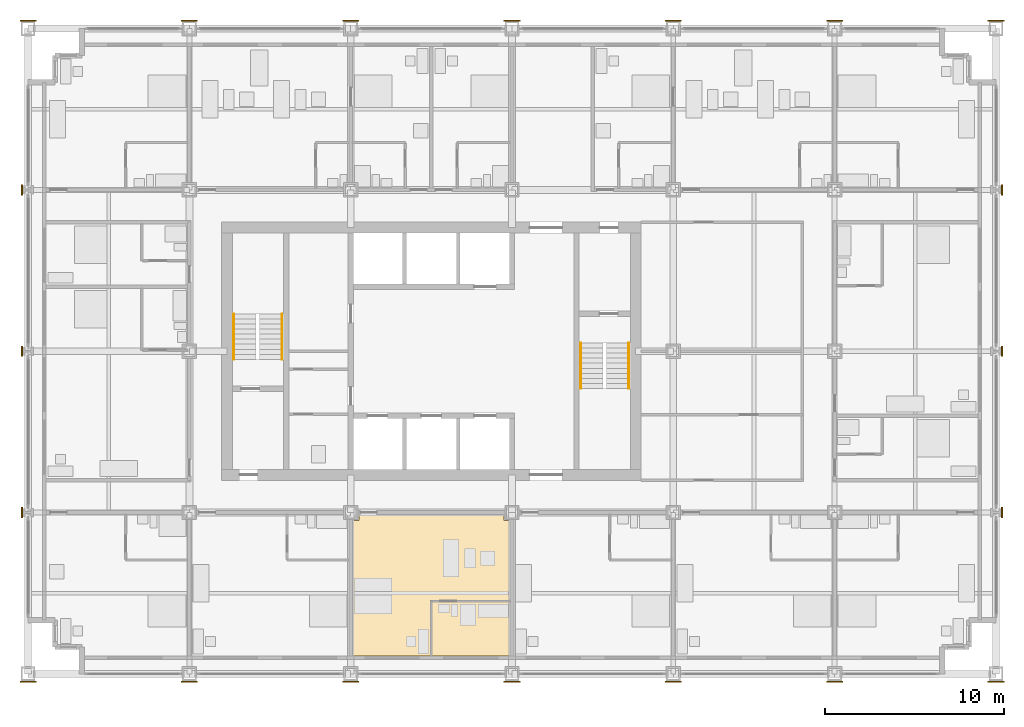
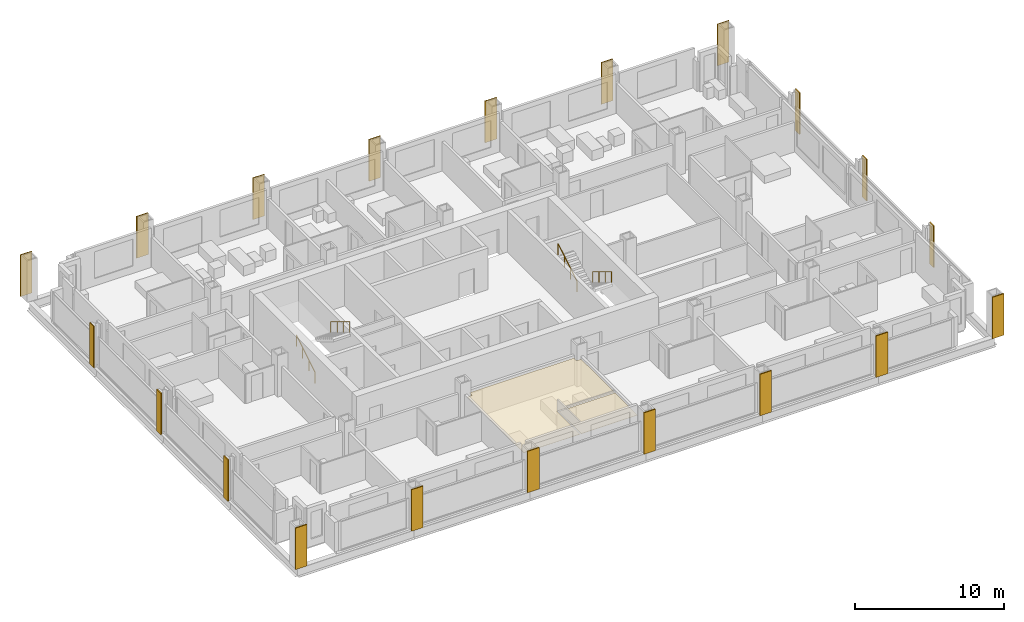
# One storey, part 16 of 18: 22 coverings, 4 railings.
"""IFC4 building model written with IfcOpenShell, lengths in metres."""

from ifc_helpers import new_model, si_unit, direction, frame, origin, origin_2d, place, context, subcontext, project, spatial, polyline, rectangle, circle, outline, extrude, material, layer, layer_set, type_object, element, save


model = new_model("IFC4")

# Units and contexts
model_context = context("Model", 3, precision=1e-05, world=origin(), true_north=direction((0.0, 1.0)))
body_context = subcontext(model_context, "Body", "Model", "MODEL_VIEW")
ifc_project = project(units=[si_unit("LENGTHUNIT", "METRE"), si_unit("AREAUNIT", "SQUARE_METRE"), si_unit("VOLUMEUNIT", "CUBIC_METRE"), si_unit("PLANEANGLEUNIT", "RADIAN"), si_unit("MASSUNIT", "GRAM", prefix="KILO")], contexts=[model_context])

# Site, building, storey
site_placement = place(None, origin())
site = spatial("IfcSite", under=ifc_project, at=site_placement, CompositionType="ELEMENT")
building_placement = place(site_placement, origin())
building = spatial("IfcBuilding", under=site, at=building_placement, Name="Loomwork Tower", CompositionType="ELEMENT")
storey_placement = place(building_placement, frame((0.0, 0.0, 45.0)))
storey = spatial("IfcBuildingStorey", under=building, at=storey_placement, Name="L10", CompositionType="ELEMENT", Elevation=45.0)

# Railings
ifc_material_1 = material(Name="Stainless steel handrail", Category="steel")
railing_type = type_object("IfcRailingType", Name="Handrail 900", PredefinedType="HANDRAIL", material=ifc_material_1)
railing_1_placement = place(storey_placement, frame((11.485107421875, 17.550048828125, 0.169921875)))
element("IfcRailing", 1, at=railing_1_placement, inside=storey, type_object=railing_type, Name="Stair A handrail flight 1 L10", PredefinedType="HANDRAIL", context=body_context, shape_type="SweptSolid", body=[
    extrude(circle(Radius=0.02392578125, at=origin_2d()), frame((0.0, 0.0, 0.8759765625), z_axis=(0.0, 0.85478489116, 0.518982456201), x_axis=(-1.0, 0.0, 0.0)), (0.0, 0.0, 1.0), 2.9482421875),
    extrude(circle(Radius=0.02099609375, at=origin_2d()), origin(), (0.0, 0.0, 1.0), 0.851806640625),
    extrude(circle(Radius=0.02099609375, at=origin_2d()), frame((0.0, 0.840087890625, 0.510009765625)), (0.0, 0.0, 1.0), 0.851806640625),
    extrude(circle(Radius=0.02099609375, at=origin_2d()), frame((0.0, 1.679931640625, 1.02001953125)), (0.0, 0.0, 1.0), 0.851806640625),
    extrude(circle(Radius=0.02099609375, at=origin_2d()), frame((0.0, 2.52001953125, 1.530029296875)), (0.0, 0.0, 1.0), 0.851806640625),
])
railing_2_placement = place(storey_placement, frame((14.1650390625, 20.070068359375, 1.8701171875)))
element("IfcRailing", 2, at=railing_2_placement, inside=storey, type_object=railing_type, Name="Stair A handrail flight 2 L10", PredefinedType="HANDRAIL", context=body_context, shape_type="SweptSolid", body=[
    extrude(circle(Radius=0.02392578125, at=origin_2d()), frame((0.0, 0.0, 0.8759765625), z_axis=(0.0, -0.854821627497, 0.518921945155), x_axis=(1.0, 0.0, 0.0)), (0.0, 0.0, 1.0), 2.947998046875),
    extrude(circle(Radius=0.02099609375, at=origin_2d()), origin(), (0.0, 0.0, 1.0), 0.851806640625),
    extrude(circle(Radius=0.02099609375, at=origin_2d()), frame((0.0, -0.840087890625, 0.510009765625)), (0.0, 0.0, 1.0), 0.851806640625),
    extrude(circle(Radius=0.02099609375, at=origin_2d()), frame((0.0, -1.679931640625, 1.019775390625)), (0.0, 0.0, 1.0), 0.851806640625),
    extrude(circle(Radius=0.02099609375, at=origin_2d()), frame((0.0, -2.52001953125, 1.52978515625)), (0.0, 0.0, 1.0), 0.851806640625),
])
railing_3_placement = place(storey_placement, frame((33.514892578125, 18.449951171875, 0.169921875)))
element("IfcRailing", 3, at=railing_3_placement, inside=storey, type_object=railing_type, Name="Stair B handrail flight 1 L10", PredefinedType="HANDRAIL", context=body_context, shape_type="SweptSolid", body=[
    extrude(circle(Radius=0.02392578125, at=origin_2d()), frame((0.0, 0.0, 0.8759765625), z_axis=(0.0, -0.85478489116, 0.518982456201), x_axis=(1.0, 0.0, 0.0)), (0.0, 0.0, 1.0), 2.9482421875),
    extrude(circle(Radius=0.02099609375, at=origin_2d()), origin(), (0.0, 0.0, 1.0), 0.851806640625),
    extrude(circle(Radius=0.02099609375, at=origin_2d()), frame((0.0, -0.840087890625, 0.510009765625)), (0.0, 0.0, 1.0), 0.851806640625),
    extrude(circle(Radius=0.02099609375, at=origin_2d()), frame((0.0, -1.679931640625, 1.02001953125)), (0.0, 0.0, 1.0), 0.851806640625),
    extrude(circle(Radius=0.02099609375, at=origin_2d()), frame((0.0, -2.52001953125, 1.530029296875)), (0.0, 0.0, 1.0), 0.851806640625),
])
railing_4_placement = place(storey_placement, frame((30.8349609375, 15.929931640625, 1.8701171875)))
element("IfcRailing", 4, at=railing_4_placement, inside=storey, type_object=railing_type, Name="Stair B handrail flight 2 L10", PredefinedType="HANDRAIL", context=body_context, shape_type="SweptSolid", body=[
    extrude(circle(Radius=0.02392578125, at=origin_2d()), frame((0.0, 0.0, 0.8759765625), z_axis=(0.0, 0.854821627497, 0.518921945155), x_axis=(-1.0, 0.0, 0.0)), (0.0, 0.0, 1.0), 2.947998046875),
    extrude(circle(Radius=0.02099609375, at=origin_2d()), origin(), (0.0, 0.0, 1.0), 0.851806640625),
    extrude(circle(Radius=0.02099609375, at=origin_2d()), frame((0.0, 0.840087890625, 0.510009765625)), (0.0, 0.0, 1.0), 0.851806640625),
    extrude(circle(Radius=0.02099609375, at=origin_2d()), frame((0.0, 1.679931640625, 1.019775390625)), (0.0, 0.0, 1.0), 0.851806640625),
    extrude(circle(Radius=0.02099609375, at=origin_2d()), frame((0.0, 2.52001953125, 1.52978515625)), (0.0, 0.0, 1.0), 0.851806640625),
])

# Coverings
ifc_material_2 = material(Name="Limestone", Category="masonry")
ifc_layer_1 = layer(ifc_material_2, 0.080078125)
ifc_layer_set_1 = layer_set([ifc_layer_1], Name="Limestone pier facing 80")
covering_type_1 = type_object("IfcCoveringType", Name="Limestone pier facing 80", PredefinedType="CLADDING", material=ifc_layer_set_1)
covering_1_placement = place(storey_placement, frame((0.0, -0.43994140625, 0.0), z_axis=(0.0, 0.0, 1.0), x_axis=(1.0, 0.0, 0.0)))
element("IfcCovering", 5, at=covering_1_placement, inside=storey, type_object=covering_type_1, Name="Pier facing D/2 L10", PredefinedType="CLADDING", context=body_context, shape_type="SweptSolid", body=[
    extrude(rectangle(XDim=0.89990234375, YDim=0.080078125, at=origin_2d()), origin(), (0.0, 0.0, 1.0), 3.39990234375),
])
for number, where, z_axis, x_axis, name in (
    (6, (-0.339599609375, 9.0, 0.0), (0.0, 0.0, 1.0), (1.0, 0.0, 0.0), "Pier facing E/2 L10"),
    (7, (-0.339599609375, 18.0, 0.0), (0.0, 0.0, 1.0), (1.0, 0.0, 0.0), "Pier facing F/2 L10"),
    (8, (-0.339599609375, 27.0, 0.0), (0.0, 0.0, 1.0), (1.0, 0.0, 0.0), "Pier facing G/2 L10"),
):
    element("IfcCovering", number, at=place(storey_placement, frame(where, z_axis=z_axis, x_axis=x_axis)), inside=storey, type_object=covering_type_1, Name=name, PredefinedType="CLADDING", context=body_context, shape_type="SweptSolid", body=[
        extrude(rectangle(XDim=0.080078125, YDim=0.577392578125, at=origin_2d()), origin(), (0.0, 0.0, 1.0), 3.39990234375),
    ])
for number, where, z_axis, x_axis, name in (
    (9, (0.0, 36.43994140625, 0.0), (0.0, 0.0, 1.0), (1.0, 0.0, 0.0), "Pier facing H/2 L10"),
    (10, (9.0, -0.43994140625, 0.0), (0.0, 0.0, 1.0), (1.0, 0.0, 0.0), "Pier facing D/3 L10"),
    (11, (9.0, 36.43994140625, 0.0), (0.0, 0.0, 1.0), (1.0, 0.0, 0.0), "Pier facing H/3 L10"),
    (12, (18.0, -0.43994140625, 0.0), (0.0, 0.0, 1.0), (1.0, 0.0, 0.0), "Pier facing D/4 L10"),
    (13, (18.0, 36.43994140625, 0.0), (0.0, 0.0, 1.0), (1.0, 0.0, 0.0), "Pier facing H/4 L10"),
    (14, (27.0, -0.43994140625, 0.0), (0.0, 0.0, 1.0), (1.0, 0.0, 0.0), "Pier facing D/5 L10"),
    (15, (27.0, 36.43994140625, 0.0), (0.0, 0.0, 1.0), (1.0, 0.0, 0.0), "Pier facing H/5 L10"),
    (16, (36.0, -0.43994140625, 0.0), (0.0, 0.0, 1.0), (1.0, 0.0, 0.0), "Pier facing D/6 L10"),
    (17, (36.0, 36.43994140625, 0.0), (0.0, 0.0, 1.0), (1.0, 0.0, 0.0), "Pier facing H/6 L10"),
    (18, (45.0, -0.43994140625, 0.0), (0.0, 0.0, 1.0), (1.0, 0.0, 0.0), "Pier facing D/7 L10"),
    (19, (45.0, 36.43994140625, 0.0), (0.0, 0.0, 1.0), (1.0, 0.0, 0.0), "Pier facing H/7 L10"),
    (20, (54.0, -0.43994140625, 0.0), (0.0, 0.0, 1.0), (1.0, 0.0, 0.0), "Pier facing D/8 L10"),
):
    element("IfcCovering", number, at=place(storey_placement, frame(where, z_axis=z_axis, x_axis=x_axis)), inside=storey, type_object=covering_type_1, Name=name, PredefinedType="CLADDING", context=body_context, shape_type="SweptSolid", body=[
        extrude(rectangle(XDim=0.89990234375, YDim=0.080078125, at=origin_2d()), origin(), (0.0, 0.0, 1.0), 3.39990234375),
    ])
for number, where, z_axis, x_axis, name in (
    (21, (54.339599609375, 9.0, 0.0), (0.0, 0.0, 1.0), (1.0, 0.0, 0.0), "Pier facing E/8 L10"),
    (22, (54.339599609375, 18.0, 0.0), (0.0, 0.0, 1.0), (1.0, 0.0, 0.0), "Pier facing F/8 L10"),
    (23, (54.339599609375, 27.0, 0.0), (0.0, 0.0, 1.0), (1.0, 0.0, 0.0), "Pier facing G/8 L10"),
):
    element("IfcCovering", number, at=place(storey_placement, frame(where, z_axis=z_axis, x_axis=x_axis)), inside=storey, type_object=covering_type_1, Name=name, PredefinedType="CLADDING", context=body_context, shape_type="SweptSolid", body=[
        extrude(rectangle(XDim=0.080078125, YDim=0.577392578125, at=origin_2d()), origin(), (0.0, 0.0, 1.0), 3.39990234375),
    ])
covering_2_placement = place(storey_placement, frame((54.0, 36.43994140625, 0.0), z_axis=(0.0, 0.0, 1.0), x_axis=(1.0, 0.0, 0.0)))
element("IfcCovering", 24, at=covering_2_placement, inside=storey, type_object=covering_type_1, Name="Pier facing H/8 L10", PredefinedType="CLADDING", context=body_context, shape_type="SweptSolid", body=[
    extrude(rectangle(XDim=0.89990234375, YDim=0.080078125, at=origin_2d()), origin(), (0.0, 0.0, 1.0), 3.39990234375),
])
ifc_material_3 = material(Name="Mineral fibre acoustic tile on suspension grid")
ifc_layer_2 = layer(ifc_material_3, 0.02490234375)
ifc_layer_set_2 = layer_set([ifc_layer_2], Name="Suspended acoustic ceiling")
covering_type_2 = type_object("IfcCoveringType", Name="Suspended acoustic ceiling", PredefinedType="CEILING", material=ifc_layer_set_2)
covering_3_placement = place(storey_placement, frame((0.0, 0.0, 2.175048828125)))
element("IfcCovering", 25, at=covering_3_placement, inside=storey, type_object=covering_type_2, Name="Ceiling Spa bathroom L10", PredefinedType="CEILING", context=body_context, shape_type="SweptSolid", body=[
    extrude(outline(polyline([(26.89990234375, 4.0), (26.89990234375, 1.0), (22.550048828125, 1.0), (22.550048828125, 4.0), (26.89990234375, 4.0)])), origin(), (0.0, 0.0, 1.0), 0.02490234375),
])
covering_4_placement = place(storey_placement, frame((0.0, 0.0, 2.175048828125)))
element("IfcCovering", 26, at=covering_4_placement, inside=storey, type_object=covering_type_2, Name="Ceiling Spa suite L10", PredefinedType="CEILING", context=body_context, shape_type="SweptSolid", body=[
    extrude(outline(polyline([(26.550048828125, 8.89990234375), (26.550048828125, 8.550048828125), (26.89990234375, 8.550048828125), (26.89990234375, 4.10009765625), (22.449951171875, 4.10009765625), (22.449951171875, 1.0), (18.10009765625, 1.0), (18.10009765625, 8.550048828125), (18.449951171875, 8.550048828125), (18.449951171875, 8.89990234375), (26.550048828125, 8.89990234375)])), origin(), (0.0, 0.0, 1.0), 0.02490234375),
])

save(model, "model.ifc")
